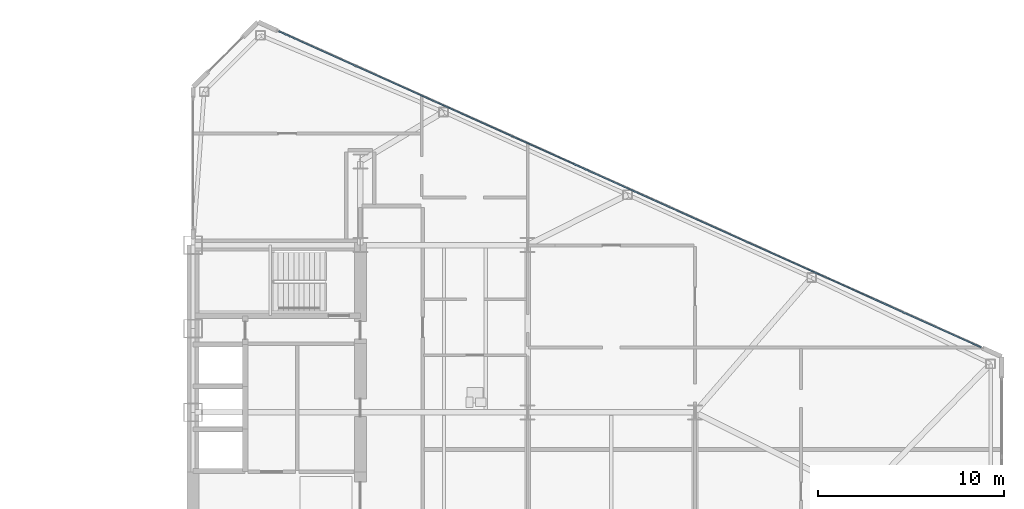
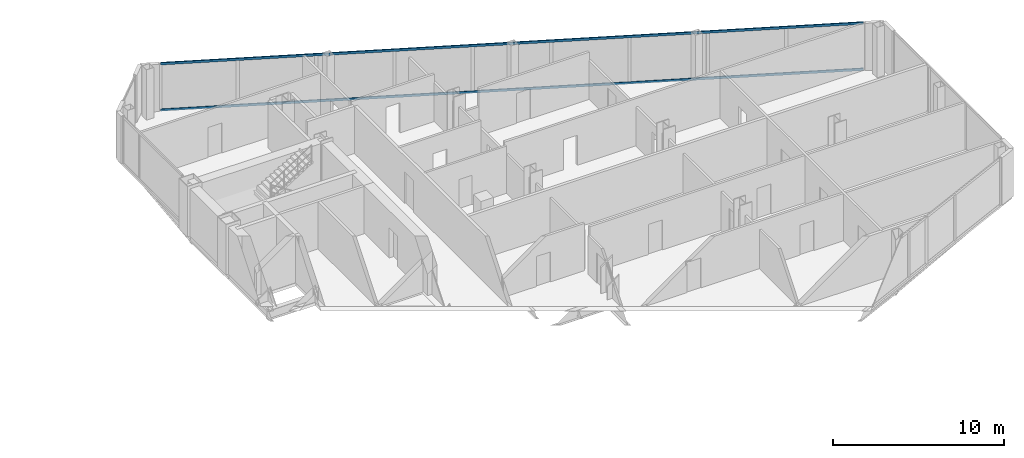
# One storey, part 14 of 27: 2 members, 1 element without a shape of its own.
"""IFC4 building model written with IfcOpenShell, lengths in metres."""

import ifcopenshell
import ifcopenshell.guid

model = None  # the IFC model being written
_history = None  # IfcOwnerHistory: only IFC2X3 demands one
_inside = {}  # id of a spatial element -> (the spatial element, [elements in it])
_under = {}  # id of a project, library or spatial element -> (it, [spatial elements below it])
_declared = {}  # id of a project -> (the project, [libraries it declares])
_typed = {}  # id of a type object -> (the type object, [elements of that type])
_made_of = {}  # id of a material, layer set ... -> (it, [elements and type objects made of it])


def new_model(schema):
    """Start an empty IFC model of exactly this schema.

    Asked for "IFC4X3", IfcOpenShell would pick the latest addendum, in which some entities
    have other attributes; the version numbers below select the first issue.
    IFC2X3 requires an IfcOwnerHistory on every rooted entity: one is made here for all.
    """
    global model, _history
    if schema == "IFC4X3":
        model = ifcopenshell.file(schema_version=(4, 3, 0, 0))
    else:
        model = ifcopenshell.file(schema=schema)
    _inside.clear()
    _under.clear()
    _declared.clear()
    _typed.clear()
    _made_of.clear()
    _history = None
    if model.schema == "IFC2X3":
        org = make("IfcOrganization", Name="unknown")
        user = make(
            "IfcPersonAndOrganization",
            ThePerson=make("IfcPerson", FamilyName="unknown"),
            TheOrganization=org,
        )
        app = make(
            "IfcApplication",
            ApplicationDeveloper=org,
            Version="unknown",
            ApplicationFullName="unknown",
            ApplicationIdentifier="unknown",
        )
        _history = make(
            "IfcOwnerHistory",
            OwningUser=user,
            OwningApplication=app,
            ChangeAction="ADDED",
            CreationDate=0,
        )
    return model


def make(cls, **values):
    """One entity of the class cls with the attributes given. An attribute that is None is left unset."""
    return model.create_entity(
        cls, **{name: value for name, value in values.items() if value is not None}
    )


def rooted(cls, **values):
    """An entity with a GlobalId (a new one), such as an element, a storey or a relation."""
    return make(cls, GlobalId=ifcopenshell.guid.new(), OwnerHistory=_history, **values)


def si_unit(unit_type, name, prefix=None):
    """IfcSIUnit, for example si_unit("LENGTHUNIT", "METRE", prefix="MILLI")."""
    return make("IfcSIUnit", UnitType=unit_type, Prefix=prefix, Name=name)


def assignment(units):
    """IfcUnitAssignment: the units of a project."""
    return None if units is None else make("IfcUnitAssignment", Units=units)


def point(xyz):
    """IfcCartesianPoint."""
    return None if xyz is None else make("IfcCartesianPoint", Coordinates=xyz)


def direction(xyz):
    """IfcDirection."""
    return None if xyz is None else make("IfcDirection", DirectionRatios=xyz)


def frame(location, z_axis=None, x_axis=None):
    """IfcAxis2Placement3D, a coordinate frame: its origin and axes. An axis left out is left unset."""
    return make(
        "IfcAxis2Placement3D",
        Location=point(location),
        Axis=direction(z_axis),
        RefDirection=direction(x_axis),
    )


def frame_2d(location, x_axis=None):
    """IfcAxis2Placement2D, a coordinate frame in the plane: its origin and x axis."""
    return make(
        "IfcAxis2Placement2D", Location=point(location), RefDirection=direction(x_axis)
    )


def origin():
    """The frame at (0, 0, 0) with its axes left unset."""
    return frame((0.0, 0.0, 0.0))


def origin_2d():
    """The frame at (0, 0) in the plane with its x axis left unset."""
    return frame_2d((0.0, 0.0))


def place(relative_to, where):
    """IfcLocalPlacement: puts the frame where relative to a parent placement (None: the world)."""
    return make(
        "IfcLocalPlacement", PlacementRelTo=relative_to, RelativePlacement=where
    )


def context(
    kind, dimensions, precision=None, world=None, true_north=None, identifier=None
):
    """IfcGeometricRepresentationContext, for example the 3D "Model" context."""
    return make(
        "IfcGeometricRepresentationContext",
        ContextIdentifier=identifier,
        ContextType=kind,
        CoordinateSpaceDimension=dimensions,
        Precision=precision,
        WorldCoordinateSystem=world,
        TrueNorth=true_north,
    )


def subcontext(parent, identifier, kind, view, scale=None):
    """IfcGeometricRepresentationSubContext, for example "Body" below "Model"."""
    return make(
        "IfcGeometricRepresentationSubContext",
        ContextIdentifier=identifier,
        ContextType=kind,
        ParentContext=parent,
        TargetScale=scale,
        TargetView=view,
    )


def project(units=None, contexts=None):
    """IfcProject with its units and contexts."""
    return rooted(
        "IfcProject",
        Name="project",
        RepresentationContexts=contexts,
        UnitsInContext=assignment(units),
    )


def spatial(cls, under=None, at=None, **own):
    """A site, building, storey or space (cls), placed at a placement, below another one or the project."""
    s = rooted(cls, ObjectPlacement=at, **own)
    if under is not None:
        _under.setdefault(under.id(), (under, []))[1].append(s)
    return s


def profile(cls, at=None, kind="AREA", **sizes):
    """A parametric profile (cls). Its sizes go by their IFC names, for example OverallWidth=200.0."""
    return make(cls, ProfileType=kind, Position=at, **sizes)


def rectangle(**sizes):
    """IfcRectangleProfileDef."""
    return profile("IfcRectangleProfileDef", **sizes)


def extrude(swept, where, along, depth):
    """IfcExtrudedAreaSolid: the profile swept, set in the frame where, extruded along a direction by depth."""
    return make(
        "IfcExtrudedAreaSolid",
        SweptArea=swept,
        Position=where,
        ExtrudedDirection=direction(along),
        Depth=depth,
    )


def shape(context_of_items, identifier, shape_type, items):
    """IfcShapeRepresentation: the items that make up one representation, for example the "Body"."""
    return make(
        "IfcShapeRepresentation",
        ContextOfItems=context_of_items,
        RepresentationIdentifier=identifier,
        RepresentationType=shape_type,
        Items=items,
    )


def source(mapping_origin, context_of_items, identifier, shape_type, items):
    """IfcRepresentationMap: a shape defined once, which mapped items show again and again."""
    return make(
        "IfcRepresentationMap",
        MappingOrigin=mapping_origin,
        MappedRepresentation=shape(context_of_items, identifier, shape_type, items),
    )


def transform(
    local_origin,
    x_axis=None,
    y_axis=None,
    z_axis=None,
    scale=None,
    scale2=None,
    scale3=None,
    uniform=True,
):
    """IfcCartesianTransformationOperator3D, or its non-uniform kind. x_axis, y_axis, z_axis: its Axis1, 2, 3."""
    if uniform:
        return make(
            "IfcCartesianTransformationOperator3D",
            Axis1=direction(x_axis),
            Axis2=direction(y_axis),
            LocalOrigin=point(local_origin),
            Scale=scale,
            Axis3=direction(z_axis),
        )
    return make(
        "IfcCartesianTransformationOperator3DnonUniform",
        Axis1=direction(x_axis),
        Axis2=direction(y_axis),
        LocalOrigin=point(local_origin),
        Scale=scale,
        Axis3=direction(z_axis),
        Scale2=scale2,
        Scale3=scale3,
    )


def mapped(mapping_source, mapping_target):
    """IfcMappedItem: shows the shape of a source again, moved by a transform."""
    return make(
        "IfcMappedItem", MappingSource=mapping_source, MappingTarget=mapping_target
    )


def material(Name=None, Category=None):
    """IfcMaterial."""
    return make("IfcMaterial", Name=Name, Category=Category)


def layer(
    of_material, thickness, ventilated=None, Name=None, Category=None, Priority=None
):
    """IfcMaterialLayer: one layer of a wall or slab, of a material (None: an air gap)."""
    return make(
        "IfcMaterialLayer",
        Material=of_material,
        LayerThickness=thickness,
        IsVentilated=ventilated,
        Name=Name,
        Category=Category,
        Priority=Priority,
    )


def layer_set(layers, Name=None):
    """IfcMaterialLayerSet."""
    return make("IfcMaterialLayerSet", MaterialLayers=layers, LayerSetName=Name)


def material_profile(
    of_material, cross_section, Name=None, Category=None, Priority=None
):
    """IfcMaterialProfile: a cross section and its material."""
    return make(
        "IfcMaterialProfile",
        Name=Name,
        Material=of_material,
        Profile=cross_section,
        Priority=Priority,
        Category=Category,
    )


def profile_set(profiles, Name=None, composite=None):
    """IfcMaterialProfileSet."""
    return make(
        "IfcMaterialProfileSet",
        Name=Name,
        MaterialProfiles=profiles,
        CompositeProfile=composite,
    )


def made_of(thing, what):
    """Note that an element or type object is made of a material, layer set ...; save() writes the relation."""
    if what is not None:
        _made_of.setdefault(what.id(), (what, []))[1].append(thing)
    return thing


def type_object(cls, material=None, **own):
    """A type object (cls), such as IfcWallType, which elements share."""
    return made_of(rooted(cls, **own), material)


def type_shapes(of_type, sources):
    """Give a type object the sources (RepresentationMaps) that its elements show as mapped items."""
    of_type.RepresentationMaps = sources


def element(
    cls,
    number,
    at=None,
    inside=None,
    cuts=None,
    type_object=None,
    material=None,
    context=None,
    identifier="Body",
    shape_type=None,
    held_by="IfcProductDefinitionShape",
    body=None,
    shapes=None,
    **own,
):
    """One element of the class cls, such as IfcWall. Its Tag is "e" and its number.

    at: its placement. inside: the storey or other place that contains it. cuts: it is an
    opening in that element (IfcRelVoidsElement). A single representation is given by context,
    identifier, shape_type and body (its items); several are given by shapes. held_by: the class
    of the entity that holds the representations. save() writes the other relations.
    """
    e = rooted(cls, Tag="e%d" % number, ObjectPlacement=at, **own)
    if body is not None:
        shapes = [shape(context, identifier, shape_type, body)]
    if shapes is not None:
        e.Representation = make(held_by, Representations=shapes)
    if inside is not None:
        _inside.setdefault(inside.id(), (inside, []))[1].append(e)
    if cuts is not None:
        rooted(
            "IfcRelVoidsElement", RelatingBuildingElement=cuts, RelatedOpeningElement=e
        )
    if type_object is not None:
        _typed.setdefault(type_object.id(), (type_object, []))[1].append(e)
    return made_of(e, material)


def aggregate(whole, parts):
    """IfcRelAggregates: a whole, such as a stair, and the parts it consists of."""
    return rooted("IfcRelAggregates", RelatingObject=whole, RelatedObjects=parts)


def save(model, path):
    """Write the relations noted so far, then the file.

    IfcRelAggregates (storeys below a building ...), IfcRelContainedInSpatialStructure (elements
    in a storey), IfcRelDefinesByType, IfcRelAssociatesMaterial and IfcRelDeclares: one each for
    every whole, place, type object, material and project.
    """
    for whole, parts in _under.values():
        aggregate(whole, parts)
    for where, things in _inside.values():
        rooted(
            "IfcRelContainedInSpatialStructure",
            RelatedElements=things,
            RelatingStructure=where,
        )
    for kind, things in _typed.values():
        rooted("IfcRelDefinesByType", RelatedObjects=things, RelatingType=kind)
    for what, things in _made_of.values():
        rooted("IfcRelAssociatesMaterial", RelatedObjects=things, RelatingMaterial=what)
    for by, libraries in _declared.values():
        rooted("IfcRelDeclares", RelatingContext=by, RelatedDefinitions=libraries)
    model.write(path)


model = new_model("IFC4")

# Units and contexts
model_context = context("Model", 3, precision=1e-05, world=origin(), true_north=direction((0.0, 1.0)))
body_context = subcontext(model_context, "Body", "Model", "MODEL_VIEW")
ifc_project = project(units=[si_unit("LENGTHUNIT", "METRE"), si_unit("AREAUNIT", "SQUARE_METRE"), si_unit("VOLUMEUNIT", "CUBIC_METRE"), si_unit("PLANEANGLEUNIT", "RADIAN"), si_unit("MASSUNIT", "GRAM", prefix="KILO")], contexts=[model_context])

# Site, building, storey
site_placement = place(None, origin())
site = spatial("IfcSite", under=ifc_project, at=site_placement, CompositionType="ELEMENT")
building_placement = place(site_placement, origin())
building = spatial("IfcBuilding", under=site, at=building_placement, Name="Seokmaru Belvedere", CompositionType="ELEMENT")
storey_placement = place(building_placement, frame((0.0, 0.0, 106.800048828125)))
storey = spatial("IfcBuildingStorey", under=building, at=storey_placement, Name="L28", CompositionType="ELEMENT", Elevation=106.800048828125)

# Curtain wall, members
ifc_material_1 = material(Name="Bronze Triple Insulating Glass", Category="glass")
ifc_layer = layer(ifc_material_1, 0.195068359375)
ifc_layer_set = layer_set([ifc_layer], Name="Bronze Triple Insulating Glass")
curtain_wall_type = type_object("IfcCurtainWallType", Name="Lower-Mid Tapered Curtain Wall System CW-3", PredefinedType="NOTDEFINED", material=ifc_layer_set)
curtain_wall_placement = place(storey_placement, origin())
curtain_wall = element("IfcCurtainWall", 1, at=curtain_wall_placement, inside=storey, type_object=curtain_wall_type, Name="L28 Curtain Wall EF3", PredefinedType="NOTDEFINED")
ifc_material_2 = material(Name="Anodised Bronze Aluminium", Category="aluminium")
ifc_material_profile = material_profile(ifc_material_2, rectangle(XDim=0.070068359375, YDim=0.1650390625, at=origin_2d()), Name="CW-T-70x165")
ifc_profile_set = profile_set([ifc_material_profile], Name="Anodised Bronze Aluminium")
member_type = type_object("IfcMemberType", Name="Bronze Unitised Transom 70x165", PredefinedType="USERDEFINED", material=ifc_profile_set)
shared_shape = source(origin(), body_context, "Body", "SweptSolid", [
    extrude(rectangle(XDim=0.070068359375, YDim=0.1650390625, at=origin_2d()), origin(), (0.0, 0.0, 1.0), 41.423583984375),
])
type_shapes(member_type, [shared_shape])
member_1_placement = place(storey_placement, frame((69.887451171875, 8.00048828125, 0.034912109375), z_axis=(-0.911918637916, 0.410371048956, 0.0), x_axis=(-0.410371048956, -0.911918637916, 0.0)))
member_1 = element("IfcMember", 2, at=member_1_placement, type_object=member_type, Name="CW:L28:EF3 Continuous Transom 1", ObjectType="TRANSOM", PredefinedType="USERDEFINED", context=body_context, shape_type="MappedRepresentation", body=[
    mapped(shared_shape, transform((0.0, 0.0, 0.0), scale=1.0)),
])
member_2_placement = place(storey_placement, frame((69.887451171875, 8.00048828125, 3.344970703125), z_axis=(-0.911918637916, 0.410371048956, 0.0), x_axis=(-0.410371048956, -0.911918637916, 0.0)))
member_2 = element("IfcMember", 3, at=member_2_placement, type_object=member_type, Name="CW:L28:EF3 Continuous Transom 2", ObjectType="TRANSOM", PredefinedType="USERDEFINED", context=body_context, shape_type="MappedRepresentation", body=[
    mapped(shared_shape, transform((0.0, 0.0, 0.0), scale=1.0)),
])
aggregate(curtain_wall, [member_1, member_2])

save(model, "model.ifc")
